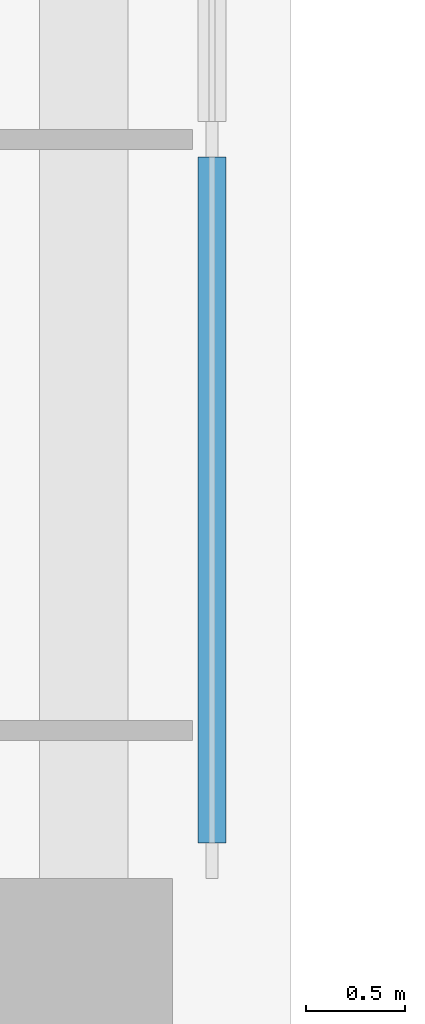
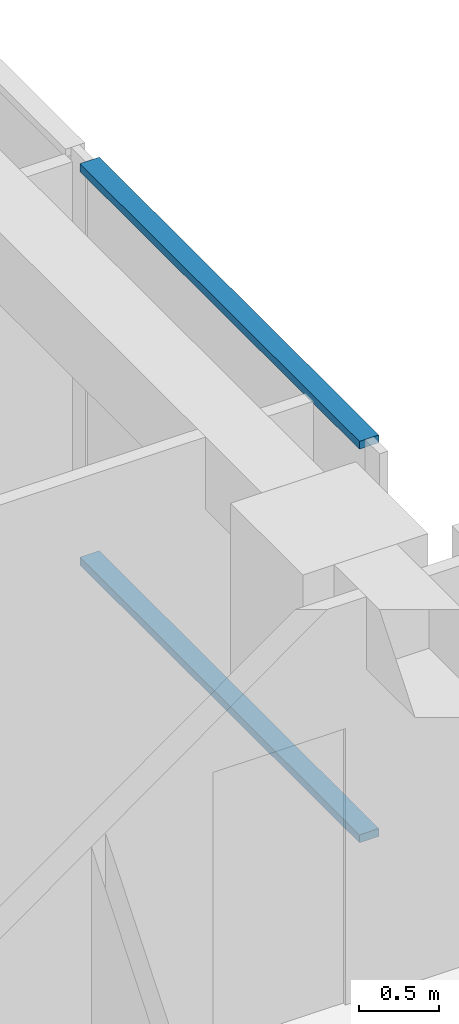
# One storey, part 5 of 19: 2 members, 1 element without a shape of its own.
"""IFC4 building model written with IfcOpenShell, lengths in metres."""

import ifcopenshell
import ifcopenshell.guid

model = None  # the IFC model being written
_history = None  # IfcOwnerHistory: only IFC2X3 demands one
_inside = {}  # id of a spatial element -> (the spatial element, [elements in it])
_under = {}  # id of a project, library or spatial element -> (it, [spatial elements below it])
_declared = {}  # id of a project -> (the project, [libraries it declares])
_typed = {}  # id of a type object -> (the type object, [elements of that type])
_made_of = {}  # id of a material, layer set ... -> (it, [elements and type objects made of it])


def new_model(schema):
    """Start an empty IFC model of exactly this schema.

    Asked for "IFC4X3", IfcOpenShell would pick the latest addendum, in which some entities
    have other attributes; the version numbers below select the first issue.
    IFC2X3 requires an IfcOwnerHistory on every rooted entity: one is made here for all.
    """
    global model, _history
    if schema == "IFC4X3":
        model = ifcopenshell.file(schema_version=(4, 3, 0, 0))
    else:
        model = ifcopenshell.file(schema=schema)
    _inside.clear()
    _under.clear()
    _declared.clear()
    _typed.clear()
    _made_of.clear()
    _history = None
    if model.schema == "IFC2X3":
        org = make("IfcOrganization", Name="unknown")
        user = make(
            "IfcPersonAndOrganization",
            ThePerson=make("IfcPerson", FamilyName="unknown"),
            TheOrganization=org,
        )
        app = make(
            "IfcApplication",
            ApplicationDeveloper=org,
            Version="unknown",
            ApplicationFullName="unknown",
            ApplicationIdentifier="unknown",
        )
        _history = make(
            "IfcOwnerHistory",
            OwningUser=user,
            OwningApplication=app,
            ChangeAction="ADDED",
            CreationDate=0,
        )
    return model


def make(cls, **values):
    """One entity of the class cls with the attributes given. An attribute that is None is left unset."""
    return model.create_entity(
        cls, **{name: value for name, value in values.items() if value is not None}
    )


def rooted(cls, **values):
    """An entity with a GlobalId (a new one), such as an element, a storey or a relation."""
    return make(cls, GlobalId=ifcopenshell.guid.new(), OwnerHistory=_history, **values)


def si_unit(unit_type, name, prefix=None):
    """IfcSIUnit, for example si_unit("LENGTHUNIT", "METRE", prefix="MILLI")."""
    return make("IfcSIUnit", UnitType=unit_type, Prefix=prefix, Name=name)


def assignment(units):
    """IfcUnitAssignment: the units of a project."""
    return None if units is None else make("IfcUnitAssignment", Units=units)


def point(xyz):
    """IfcCartesianPoint."""
    return None if xyz is None else make("IfcCartesianPoint", Coordinates=xyz)


def direction(xyz):
    """IfcDirection."""
    return None if xyz is None else make("IfcDirection", DirectionRatios=xyz)


def frame(location, z_axis=None, x_axis=None):
    """IfcAxis2Placement3D, a coordinate frame: its origin and axes. An axis left out is left unset."""
    return make(
        "IfcAxis2Placement3D",
        Location=point(location),
        Axis=direction(z_axis),
        RefDirection=direction(x_axis),
    )


def frame_2d(location, x_axis=None):
    """IfcAxis2Placement2D, a coordinate frame in the plane: its origin and x axis."""
    return make(
        "IfcAxis2Placement2D", Location=point(location), RefDirection=direction(x_axis)
    )


def origin():
    """The frame at (0, 0, 0) with its axes left unset."""
    return frame((0.0, 0.0, 0.0))


def origin_2d():
    """The frame at (0, 0) in the plane with its x axis left unset."""
    return frame_2d((0.0, 0.0))


def place(relative_to, where):
    """IfcLocalPlacement: puts the frame where relative to a parent placement (None: the world)."""
    return make(
        "IfcLocalPlacement", PlacementRelTo=relative_to, RelativePlacement=where
    )


def context(
    kind, dimensions, precision=None, world=None, true_north=None, identifier=None
):
    """IfcGeometricRepresentationContext, for example the 3D "Model" context."""
    return make(
        "IfcGeometricRepresentationContext",
        ContextIdentifier=identifier,
        ContextType=kind,
        CoordinateSpaceDimension=dimensions,
        Precision=precision,
        WorldCoordinateSystem=world,
        TrueNorth=true_north,
    )


def subcontext(parent, identifier, kind, view, scale=None):
    """IfcGeometricRepresentationSubContext, for example "Body" below "Model"."""
    return make(
        "IfcGeometricRepresentationSubContext",
        ContextIdentifier=identifier,
        ContextType=kind,
        ParentContext=parent,
        TargetScale=scale,
        TargetView=view,
    )


def project(units=None, contexts=None):
    """IfcProject with its units and contexts."""
    return rooted(
        "IfcProject",
        Name="project",
        RepresentationContexts=contexts,
        UnitsInContext=assignment(units),
    )


def spatial(cls, under=None, at=None, **own):
    """A site, building, storey or space (cls), placed at a placement, below another one or the project."""
    s = rooted(cls, ObjectPlacement=at, **own)
    if under is not None:
        _under.setdefault(under.id(), (under, []))[1].append(s)
    return s


def profile(cls, at=None, kind="AREA", **sizes):
    """A parametric profile (cls). Its sizes go by their IFC names, for example OverallWidth=200.0."""
    return make(cls, ProfileType=kind, Position=at, **sizes)


def rectangle(**sizes):
    """IfcRectangleProfileDef."""
    return profile("IfcRectangleProfileDef", **sizes)


def extrude(swept, where, along, depth):
    """IfcExtrudedAreaSolid: the profile swept, set in the frame where, extruded along a direction by depth."""
    return make(
        "IfcExtrudedAreaSolid",
        SweptArea=swept,
        Position=where,
        ExtrudedDirection=direction(along),
        Depth=depth,
    )


def shape(context_of_items, identifier, shape_type, items):
    """IfcShapeRepresentation: the items that make up one representation, for example the "Body"."""
    return make(
        "IfcShapeRepresentation",
        ContextOfItems=context_of_items,
        RepresentationIdentifier=identifier,
        RepresentationType=shape_type,
        Items=items,
    )


def material(Name=None, Category=None):
    """IfcMaterial."""
    return make("IfcMaterial", Name=Name, Category=Category)


def material_profile(
    of_material, cross_section, Name=None, Category=None, Priority=None
):
    """IfcMaterialProfile: a cross section and its material."""
    return make(
        "IfcMaterialProfile",
        Name=Name,
        Material=of_material,
        Profile=cross_section,
        Priority=Priority,
        Category=Category,
    )


def profile_set(profiles, Name=None, composite=None):
    """IfcMaterialProfileSet."""
    return make(
        "IfcMaterialProfileSet",
        Name=Name,
        MaterialProfiles=profiles,
        CompositeProfile=composite,
    )


def made_of(thing, what):
    """Note that an element or type object is made of a material, layer set ...; save() writes the relation."""
    if what is not None:
        _made_of.setdefault(what.id(), (what, []))[1].append(thing)
    return thing


def type_object(cls, material=None, **own):
    """A type object (cls), such as IfcWallType, which elements share."""
    return made_of(rooted(cls, **own), material)


def element(
    cls,
    number,
    at=None,
    inside=None,
    cuts=None,
    type_object=None,
    material=None,
    context=None,
    identifier="Body",
    shape_type=None,
    held_by="IfcProductDefinitionShape",
    body=None,
    shapes=None,
    **own,
):
    """One element of the class cls, such as IfcWall. Its Tag is "e" and its number.

    at: its placement. inside: the storey or other place that contains it. cuts: it is an
    opening in that element (IfcRelVoidsElement). A single representation is given by context,
    identifier, shape_type and body (its items); several are given by shapes. held_by: the class
    of the entity that holds the representations. save() writes the other relations.
    """
    e = rooted(cls, Tag="e%d" % number, ObjectPlacement=at, **own)
    if body is not None:
        shapes = [shape(context, identifier, shape_type, body)]
    if shapes is not None:
        e.Representation = make(held_by, Representations=shapes)
    if inside is not None:
        _inside.setdefault(inside.id(), (inside, []))[1].append(e)
    if cuts is not None:
        rooted(
            "IfcRelVoidsElement", RelatingBuildingElement=cuts, RelatedOpeningElement=e
        )
    if type_object is not None:
        _typed.setdefault(type_object.id(), (type_object, []))[1].append(e)
    return made_of(e, material)


def aggregate(whole, parts):
    """IfcRelAggregates: a whole, such as a stair, and the parts it consists of."""
    return rooted("IfcRelAggregates", RelatingObject=whole, RelatedObjects=parts)


def save(model, path):
    """Write the relations noted so far, then the file.

    IfcRelAggregates (storeys below a building ...), IfcRelContainedInSpatialStructure (elements
    in a storey), IfcRelDefinesByType, IfcRelAssociatesMaterial and IfcRelDeclares: one each for
    every whole, place, type object, material and project.
    """
    for whole, parts in _under.values():
        aggregate(whole, parts)
    for where, things in _inside.values():
        rooted(
            "IfcRelContainedInSpatialStructure",
            RelatedElements=things,
            RelatingStructure=where,
        )
    for kind, things in _typed.values():
        rooted("IfcRelDefinesByType", RelatedObjects=things, RelatingType=kind)
    for what, things in _made_of.values():
        rooted("IfcRelAssociatesMaterial", RelatedObjects=things, RelatingMaterial=what)
    for by, libraries in _declared.values():
        rooted("IfcRelDeclares", RelatingContext=by, RelatedDefinitions=libraries)
    model.write(path)


model = new_model("IFC4")

# Units and contexts
model_context = context("Model", 3, precision=1e-05, world=origin(), true_north=direction((0.0, 1.0)))
body_context = subcontext(model_context, "Body", "Model", "MODEL_VIEW")
ifc_project = project(units=[si_unit("LENGTHUNIT", "METRE"), si_unit("AREAUNIT", "SQUARE_METRE"), si_unit("VOLUMEUNIT", "CUBIC_METRE"), si_unit("PLANEANGLEUNIT", "RADIAN"), si_unit("MASSUNIT", "GRAM", prefix="KILO")], contexts=[model_context])

# Site, building, storey
site_placement = place(None, origin())
site = spatial("IfcSite", under=ifc_project, at=site_placement, CompositionType="ELEMENT")
building_placement = place(site_placement, origin())
building = spatial("IfcBuilding", under=site, at=building_placement, Name="Vermilion Ogive Tower", CompositionType="ELEMENT")
storey_placement = place(building_placement, frame((0.0, 0.0, 226.89990234375)))
storey = spatial("IfcBuildingStorey", under=building, at=storey_placement, Name="L59", CompositionType="ELEMENT", Elevation=226.89990234375)

# Curtain wall, members
ifc_material_1 = material(Name="Low-iron laminated glazing in aluminium frame", Category="aluminium")
curtain_wall_type = type_object("IfcCurtainWallType", Name="Curtain wall CW7", PredefinedType="NOTDEFINED", material=ifc_material_1)
curtain_wall_placement = place(storey_placement, origin())
curtain_wall = element("IfcCurtainWall", 1, at=curtain_wall_placement, inside=storey, type_object=curtain_wall_type, Name="Glazed skin E3", PredefinedType="NOTDEFINED")
ifc_material_2 = material(Name="Aluminium transom", Category="aluminium")
ifc_material_profile = material_profile(ifc_material_2, rectangle(XDim=0.139892578125, YDim=0.06005859375, at=origin_2d()), Name="AL 60x140")
ifc_profile_set = profile_set([ifc_material_profile], Name="Aluminium transom")
member_type = type_object("IfcMemberType", Name="CW7 transom 60x140", PredefinedType="USERDEFINED", material=ifc_profile_set)
member_1_placement = place(storey_placement, frame((25.85009765625, 4.830078125, 0.030029296875), z_axis=(0.0, 1.0, 0.0), x_axis=(-1.0, 0.0, 0.0)))
member_1 = element("IfcMember", 2, at=member_1_placement, type_object=member_type, Name="CW7-E3 transom 1.1", ObjectType="TRANSOM", PredefinedType="USERDEFINED", context=body_context, shape_type="SweptSolid", body=[
    extrude(rectangle(XDim=0.139892578125, YDim=0.06005859375, at=origin_2d()), origin(), (0.0, 0.0, 1.0), 3.47998046875),
])
member_2_placement = place(storey_placement, frame((25.85009765625, 4.830078125, 3.02001953125), z_axis=(0.0, 1.0, 0.0), x_axis=(-1.0, 0.0, 0.0)))
member_2 = element("IfcMember", 3, at=member_2_placement, type_object=member_type, Name="CW7-E3 transom 1.2", ObjectType="TRANSOM", PredefinedType="USERDEFINED", context=body_context, shape_type="SweptSolid", body=[
    extrude(rectangle(XDim=0.139892578125, YDim=0.06005859375, at=origin_2d()), origin(), (0.0, 0.0, 1.0), 3.47998046875),
])
aggregate(curtain_wall, [member_1, member_2])

save(model, "model.ifc")
